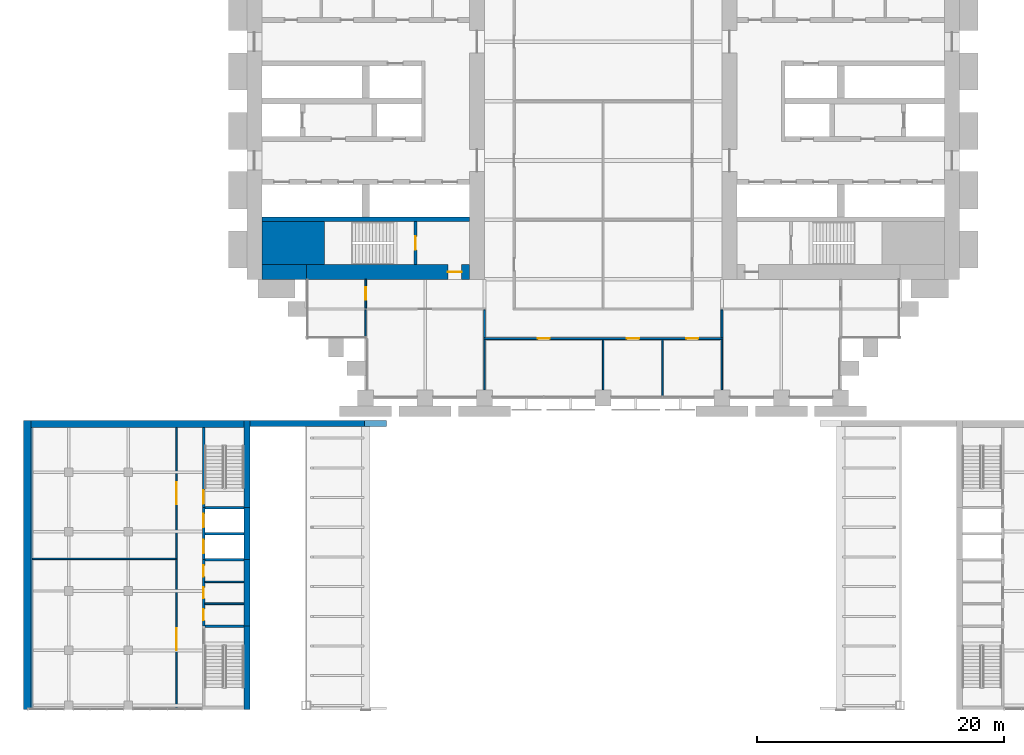
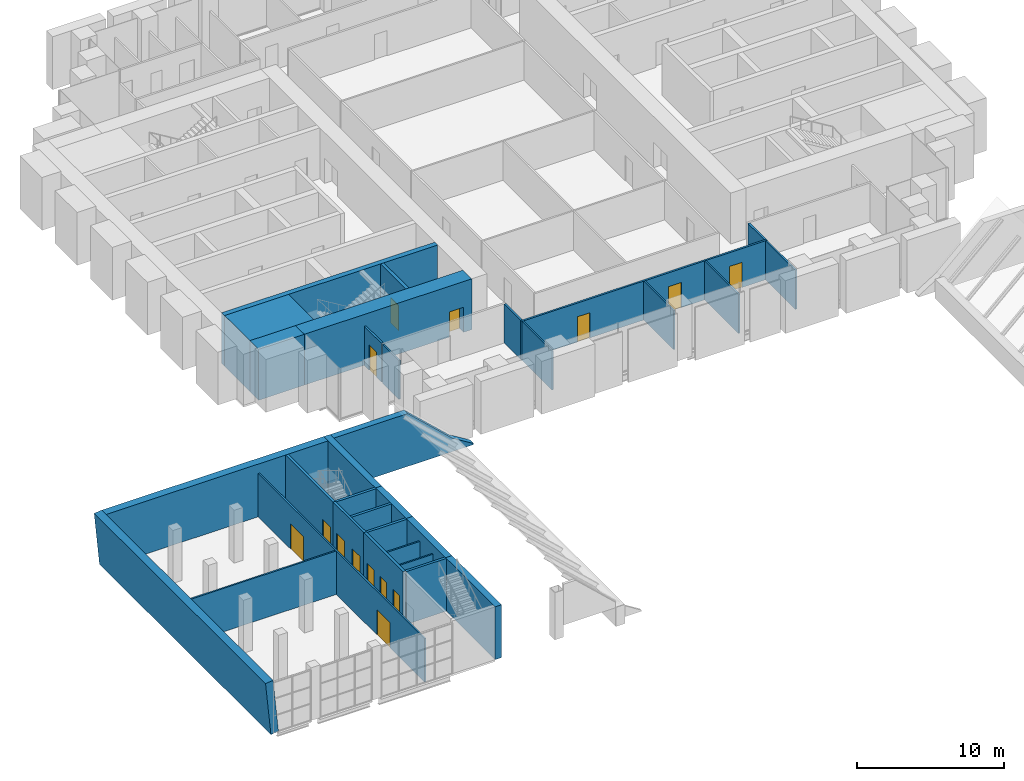
# One storey, part 20 of 30: 32 walls, 14 doors, 14 openings.
"""IFC4 building model written with IfcOpenShell, lengths in metres."""

from ifc_helpers import new_model, si_unit, direction, frame, frame_2d, origin, place, context, subcontext, project, spatial, polyline, rectangle, outline, extrude, material, layer, layer_set, type_object, element, fill, save


model = new_model("IFC4")

# Units and contexts
model_context = context("Model", 3, precision=1e-05, world=origin(), true_north=direction((0.0, 1.0)))
body_context = subcontext(model_context, "Body", "Model", "MODEL_VIEW")
ifc_project = project(units=[si_unit("LENGTHUNIT", "METRE"), si_unit("AREAUNIT", "SQUARE_METRE"), si_unit("VOLUMEUNIT", "CUBIC_METRE"), si_unit("PLANEANGLEUNIT", "RADIAN"), si_unit("MASSUNIT", "GRAM", prefix="KILO")], contexts=[model_context])

# Site, building, storey
site_placement = place(None, origin())
site = spatial("IfcSite", under=ifc_project, at=site_placement, CompositionType="ELEMENT")
building_placement = place(site_placement, origin())
building = spatial("IfcBuilding", under=site, at=building_placement, Name="Baori Bourse Tower", CompositionType="ELEMENT")
storey_placement = place(building_placement, frame((0.0, 0.0, 17.0)))
storey = spatial("IfcBuildingStorey", under=building, at=storey_placement, Name="L02", CompositionType="ELEMENT", Elevation=17.0)

# Walls
ifc_material_1 = material(Name="Concrete f'c 70 MPa", Category="concrete")
wall_type_1 = type_object("IfcWallType", Name="Core corner block f'c 70", PredefinedType="SHEAR", material=ifc_material_1)
wall_1_placement = place(storey_placement, frame((1.199951171875, 12.52490234375, 0.0), z_axis=(0.0, 0.0, 1.0), x_axis=(1.0, 0.0, 0.0)))
element("IfcWall", 1, at=wall_1_placement, inside=storey, type_object=wall_type_1, Name="Core wall W05", PredefinedType="SHEAR", context=body_context, shape_type="SweptSolid", body=[
    extrude(rectangle(XDim=5.050048828125, YDim=3.449951171875, at=frame_2d((2.52490234375, 0.0))), origin(), (0.0, 0.0, 1.0), 4.239990234375),
])
ifc_material_2 = material(Name="Concrete f'c 70 MPa", Category="concrete")
ifc_layer_1 = layer(ifc_material_2, 1.199951171875)
ifc_layer_set_1 = layer_set([ifc_layer_1], Name="Core wall 1200 f'c 70")
wall_type_2 = type_object("IfcWallType", Name="Core wall 1200 f'c 70", PredefinedType="SHEAR", material=ifc_layer_set_1)
wall_2_placement = place(storey_placement, frame((4.800048828125, 10.199951171875, 0.0), z_axis=(0.0, 0.0, 1.0), x_axis=(-1.0, 0.0, 0.0)))
element("IfcWall", 2, at=wall_2_placement, inside=storey, type_object=wall_type_2, Name="Core wall W02", PredefinedType="SHEAR", context=body_context, shape_type="SweptSolid", body=[
    extrude(rectangle(XDim=3.60009765625, YDim=1.199951171875, at=frame_2d((1.800048828125, 0.0))), origin(), (0.0, 0.0, 1.0), 4.239990234375),
])

# Wall, opening, door
wall_3_placement = place(storey_placement, frame((18.0, 10.199951171875, 0.0), z_axis=(0.0, 0.0, 1.0), x_axis=(-1.0, 0.0, 0.0)))
wall_3 = element("IfcWall", 3, at=wall_3_placement, inside=storey, type_object=wall_type_2, Name="Core wall W03", PredefinedType="SHEAR", context=body_context, shape_type="SweptSolid", body=[
    extrude(rectangle(XDim=13.199951171875, YDim=1.199951171875, at=frame_2d((6.60009765625, 0.0))), origin(), (0.0, 0.0, 1.0), 4.239990234375),
])
opening_1_placement = place(wall_3_placement, frame((0.64990234375, 0.0, 0.0)))
opening_1 = element("IfcOpeningElement", 4, at=opening_1_placement, cuts=wall_3, Name="Opening L02-D102", PredefinedType="OPENING", context=body_context, shape_type="SweptSolid", body=[
    extrude(rectangle(XDim=1.10009765625, YDim=2.10009765625, at=frame_2d((0.550048828125, 1.050048828125))), frame((0.0, 0.60986328125, 0.0), z_axis=(0.0, -1.0, 0.0), x_axis=(1.0, 0.0, 0.0)), (0.0, 0.0, 1.0), 1.219970703125),
])
ifc_material_3 = material(Name="Painted steel door", Category="steel")
door_type_1 = type_object("IfcDoorType", Name="Stair door 1100", OperationType="SINGLE_SWING_LEFT", PredefinedType="DOOR", material=ifc_material_3)
door_1_placement = place(opening_1_placement, origin())
door_1 = element("IfcDoor", 5, at=door_1_placement, inside=storey, type_object=door_type_1, Name="Stair vestibule door A W L02", OperationType="SINGLE_SWING_LEFT", OverallHeight=2.10009765625, OverallWidth=1.10009765625, PredefinedType="DOOR", context=body_context, shape_type="SweptSolid", body=[
    extrude(rectangle(XDim=1.10009765625, YDim=2.10009765625, at=frame_2d((0.550048828125, 1.050048828125))), frame((0.0, 0.02490234375, 0.0), z_axis=(0.0, -1.0, 0.0), x_axis=(1.0, 0.0, 0.0)), (0.0, 0.0, 1.0), 0.050048828125),
])
fill(opening_1, door_1)

# Wall, openings, doors
ifc_material_4 = material(Name="Gypsum board partition")
ifc_layer_2 = layer(ifc_material_4, 0.14990234375)
ifc_layer_set_2 = layer_set([ifc_layer_2], Name="Corridor partition 150")
wall_type_3 = type_object("IfcWallType", Name="Corridor partition 150", PredefinedType="PARTITIONING", material=ifc_layer_set_2)
wall_4_placement = place(storey_placement, frame((19.125, 4.800048828125, 0.0), z_axis=(0.0, 0.0, 1.0), x_axis=(1.0, 0.0, 0.0)))
wall_4 = element("IfcWall", 6, at=wall_4_placement, inside=storey, type_object=wall_type_3, Name="Partition", PredefinedType="PARTITIONING", context=body_context, shape_type="SweptSolid", body=[
    extrude(rectangle(XDim=19.35009765625, YDim=0.14990234375, at=frame_2d((9.675048828125, 0.0))), origin(), (0.0, 0.0, 1.0), 3.24951171875),
])
opening_2_placement = place(wall_4_placement, frame((4.375, 0.0, 0.0)))
opening_2 = element("IfcOpeningElement", 7, at=opening_2_placement, cuts=wall_4, Name="Opening L02-D01", PredefinedType="OPENING", context=body_context, shape_type="SweptSolid", body=[
    extrude(rectangle(XDim=1.0, YDim=2.10009765625, at=frame_2d((0.5, 1.050048828125))), frame((0.0, 0.0849609375, 0.0), z_axis=(0.0, -1.0, 0.0), x_axis=(1.0, 0.0, 0.0)), (0.0, 0.0, 1.0), 0.169921875),
])
opening_3_placement = place(wall_4_placement, frame((11.574951171875, 0.0, 0.0)))
opening_3 = element("IfcOpeningElement", 8, at=opening_3_placement, cuts=wall_4, Name="Opening L02-D02", PredefinedType="OPENING", context=body_context, shape_type="SweptSolid", body=[
    extrude(rectangle(XDim=1.0, YDim=2.10009765625, at=frame_2d((0.5, 1.050048828125))), frame((0.0, 0.0849609375, 0.0), z_axis=(0.0, -1.0, 0.0), x_axis=(1.0, 0.0, 0.0)), (0.0, 0.0, 1.0), 0.169921875),
])
opening_4_placement = place(wall_4_placement, frame((16.375, 0.0, 0.0)))
opening_4 = element("IfcOpeningElement", 9, at=opening_4_placement, cuts=wall_4, Name="Opening L02-D03", PredefinedType="OPENING", context=body_context, shape_type="SweptSolid", body=[
    extrude(rectangle(XDim=1.0, YDim=2.10009765625, at=frame_2d((0.5, 1.050048828125))), frame((0.0, 0.0849609375, 0.0), z_axis=(0.0, -1.0, 0.0), x_axis=(1.0, 0.0, 0.0)), (0.0, 0.0, 1.0), 0.169921875),
])
ifc_material_5 = material(Name="Timber door leaf", Category="wood")
door_type_2 = type_object("IfcDoorType", Name="Door 1000 x 2100", OperationType="SINGLE_SWING_LEFT", PredefinedType="DOOR", material=ifc_material_5)
door_2_placement = place(opening_2_placement, origin())
door_2 = element("IfcDoor", 10, at=door_2_placement, inside=storey, type_object=door_type_2, Name="Door", OperationType="SINGLE_SWING_LEFT", OverallHeight=2.10009765625, OverallWidth=1.0, PredefinedType="DOOR", context=body_context, shape_type="SweptSolid", body=[
    extrude(rectangle(XDim=1.0, YDim=2.10009765625, at=frame_2d((0.5, 1.050048828125))), frame((0.0, 0.02490234375, 0.0), z_axis=(0.0, -1.0, 0.0), x_axis=(1.0, 0.0, 0.0)), (0.0, 0.0, 1.0), 0.050048828125),
])
fill(opening_2, door_2)
door_3_placement = place(opening_3_placement, origin())
door_3 = element("IfcDoor", 11, at=door_3_placement, inside=storey, type_object=door_type_2, Name="Door", OperationType="SINGLE_SWING_RIGHT", OverallHeight=2.10009765625, OverallWidth=1.0, PredefinedType="DOOR", context=body_context, shape_type="SweptSolid", body=[
    extrude(rectangle(XDim=1.0, YDim=2.10009765625, at=frame_2d((0.5, 1.050048828125))), frame((0.0, 0.02490234375, 0.0), z_axis=(0.0, -1.0, 0.0), x_axis=(1.0, 0.0, 0.0)), (0.0, 0.0, 1.0), 0.050048828125),
])
fill(opening_3, door_3)
door_4_placement = place(opening_4_placement, origin())
door_4 = element("IfcDoor", 12, at=door_4_placement, inside=storey, type_object=door_type_2, Name="Door", OperationType="SINGLE_SWING_RIGHT", OverallHeight=2.10009765625, OverallWidth=1.0, PredefinedType="DOOR", context=body_context, shape_type="SweptSolid", body=[
    extrude(rectangle(XDim=1.0, YDim=2.10009765625, at=frame_2d((0.5, 1.050048828125))), frame((0.0, 0.02490234375, 0.0), z_axis=(0.0, -1.0, 0.0), x_axis=(1.0, 0.0, 0.0)), (0.0, 0.0, 1.0), 0.050048828125),
])
fill(opening_4, door_4)

# Wall, opening, door
wall_5_placement = place(storey_placement, frame((9.60009765625, 7.27490234375, 0.0), z_axis=(0.0, 0.0, 1.0), x_axis=(0.0, 1.0, 0.0)))
wall_5 = element("IfcWall", 13, at=wall_5_placement, inside=storey, type_object=wall_type_3, Name="Partition", PredefinedType="PARTITIONING", context=body_context, shape_type="SweptSolid", body=[
    extrude(rectangle(XDim=2.3251953125, YDim=0.14990234375, at=frame_2d((1.16259765625, 0.0))), origin(), (0.0, 0.0, 1.0), 3.24951171875),
])
opening_5_placement = place(wall_5_placement, frame((0.66259765625, 0.0, 0.0)))
opening_5 = element("IfcOpeningElement", 14, at=opening_5_placement, cuts=wall_5, Name="Opening L02-D15", PredefinedType="OPENING", context=body_context, shape_type="SweptSolid", body=[
    extrude(rectangle(XDim=1.0, YDim=2.10009765625, at=frame_2d((0.5, 1.050048828125))), frame((0.0, 0.0849609375, 0.0), z_axis=(0.0, -1.0, 0.0), x_axis=(1.0, 0.0, 0.0)), (0.0, 0.0, 1.0), 0.169921875),
])
door_5_placement = place(opening_5_placement, origin())
door_5 = element("IfcDoor", 15, at=door_5_placement, inside=storey, type_object=door_type_2, Name="Door", OperationType="SINGLE_SWING_RIGHT", OverallHeight=2.10009765625, OverallWidth=1.0, PredefinedType="DOOR", context=body_context, shape_type="SweptSolid", body=[
    extrude(rectangle(XDim=1.0, YDim=2.10009765625, at=frame_2d((0.5, 1.050048828125))), frame((0.0, 0.02490234375, 0.0), z_axis=(0.0, -1.0, 0.0), x_axis=(1.0, 0.0, 0.0)), (0.0, 0.0, 1.0), 0.050048828125),
])
fill(opening_5, door_5)

# Walls
for number, where, z_axis, x_axis, name in (
    (16, (19.199951171875, 4.875, 0.0), (0.0, 0.0, 1.0), (0.0, 1.0, 0.0), "Partition"),
    (17, (38.39990234375, 4.875, 0.0), (0.0, 0.0, 1.0), (0.0, 1.0, 0.0), "Partition"),
):
    element("IfcWall", number, at=place(storey_placement, frame(where, z_axis=z_axis, x_axis=x_axis)), inside=storey, type_object=wall_type_3, Name=name, PredefinedType="PARTITIONING", context=body_context, shape_type="SweptSolid", body=[
        extrude(rectangle(XDim=2.25, YDim=0.14990234375, at=frame_2d((1.125, 0.0))), origin(), (0.0, 0.0, 1.0), 3.24951171875),
    ])
ifc_material_6 = material(Name="Concrete f'c 50 MPa", Category="concrete")
ifc_layer_3 = layer(ifc_material_6, 0.5)
ifc_layer_set_3 = layer_set([ifc_layer_3], Name="Hall end wall 500")
wall_type_4 = type_object("IfcWallType", Name="Hall end wall 500", PredefinedType="SOLIDWALL", material=ifc_layer_set_3)
wall_6_placement = place(storey_placement, frame((0.0, -1.800048828125, 0.0), z_axis=(0.0, 0.0, 1.0), x_axis=(0.0, -1.0, 0.0)))
element("IfcWall", 18, at=wall_6_placement, inside=storey, type_object=wall_type_4, Name="wing/L02/Whallwall/001", PredefinedType="SOLIDWALL", context=body_context, shape_type="SweptSolid", body=[
    extrude(rectangle(XDim=7.06005859375, YDim=0.5, at=frame_2d((3.530029296875, 0.0))), origin(), (0.0, 0.0, 1.0), 4.39990234375),
])
wall_7_placement = place(storey_placement, frame((0.0, -8.860107421875, 0.0), z_axis=(0.0, 0.0, 1.0), x_axis=(0.0, -1.0, 0.0)))
element("IfcWall", 19, at=wall_7_placement, inside=storey, type_object=wall_type_4, Name="wing/L02/Whallwall/002", PredefinedType="SOLIDWALL", context=body_context, shape_type="SweptSolid", body=[
    extrude(rectangle(XDim=4.199951171875, YDim=0.5, at=frame_2d((2.10009765625, 0.0))), origin(), (0.0, 0.0, 1.0), 4.39990234375),
])
wall_8_placement = place(storey_placement, frame((0.0, -13.06005859375, 0.0), z_axis=(0.0, 0.0, 1.0), x_axis=(0.0, -1.0, 0.0)))
element("IfcWall", 20, at=wall_8_placement, inside=storey, type_object=wall_type_4, Name="wing/L02/Whallwall/003", PredefinedType="SOLIDWALL", context=body_context, shape_type="SweptSolid", body=[
    extrude(rectangle(XDim=5.3798828125, YDim=0.5, at=frame_2d((2.68994140625, 0.0))), origin(), (0.0, 0.0, 1.0), 4.39990234375),
])
wall_9_placement = place(storey_placement, frame((0.0, -18.43994140625, 0.0), z_axis=(0.0, 0.0, 1.0), x_axis=(0.0, -1.0, 0.0)))
element("IfcWall", 21, at=wall_9_placement, inside=storey, type_object=wall_type_4, Name="wing/L02/Whallwall/004", PredefinedType="SOLIDWALL", context=body_context, shape_type="SweptSolid", body=[
    extrude(rectangle(XDim=6.760009765625, YDim=0.5, at=frame_2d((3.3798828125, 0.0))), origin(), (0.0, 0.0, 1.0), 4.39990234375),
])
ifc_material_7 = material(Name="Concrete f'c 50 MPa", Category="concrete")
ifc_layer_4 = layer(ifc_material_7, 0.5)
ifc_layer_set_4 = layer_set([ifc_layer_4], Name="Hall north wall 500")
wall_type_5 = type_object("IfcWallType", Name="Hall north wall 500", PredefinedType="SOLIDWALL", material=ifc_layer_set_4)
wall_10_placement = place(storey_placement, frame((0.25, -2.050048828125, 0.0), z_axis=(0.0, 0.0, 1.0), x_axis=(1.0, 0.0, 0.0)))
element("IfcWall", 22, at=wall_10_placement, inside=storey, type_object=wall_type_5, Name="wing/L02/hallnorth/001", PredefinedType="SOLIDWALL", context=body_context, shape_type="SweptSolid", body=[
    extrude(outline(polyline([(0.0, 0.0), (11.013671875, 0.0), (11.013671875, 0.10009765625), (9.35009765625, 1.112060546875), (5.830322265625, 4.39990234375), (4.550048828125, 4.39990234375), (0.0, 4.39990234375), (0.0, 0.0)])), frame((0.0, 0.25, 0.0), z_axis=(0.0, -1.0, 0.0), x_axis=(1.0, 0.0, 0.0)), (0.0, 0.0, 1.0), 0.5),
])
ifc_material_8 = material(Name="Concrete f'c 50 MPa", Category="concrete")
ifc_layer_5 = layer(ifc_material_8, 0.60009765625)
ifc_layer_set_5 = layer_set([ifc_layer_5], Name="Leaning end wall 600")
wall_type_6 = type_object("IfcWallType", Name="Leaning end wall 600", PredefinedType="SOLIDWALL", material=ifc_layer_set_5)
wall_11_placement = place(storey_placement, frame((-17.326171875, -25.199951171875, 0.0), z_axis=(0.995392620953, 0.0, 0.095882898123), x_axis=(0.0, 1.0, 0.0)))
element("IfcWall", 23, at=wall_11_placement, inside=storey, type_object=wall_type_6, Name="wing/L02/Wleanwall/001", PredefinedType="SOLIDWALL", context=body_context, shape_type="SweptSolid", body=[
    extrude(outline(polyline([(0.0, 0.0), (23.39990234375, 0.0), (23.39990234375, 4.42026819481327), (0.0, 4.42026819481327), (0.0, 0.0)])), origin(), (0.0, 0.0, -1.0), 0.60009765625),
])
ifc_material_9 = material(Name="Gypsum board partition")
ifc_layer_6 = layer(ifc_material_9, 0.125)
ifc_layer_set_6 = layer_set([ifc_layer_6], Name="Partition 125")
wall_type_7 = type_object("IfcWallType", Name="Partition 125", PredefinedType="PARTITIONING", material=ifc_layer_set_6)
wall_12_placement = place(storey_placement, frame((9.60009765625, 4.89990234375, 0.0), z_axis=(0.0, 0.0, 1.0), x_axis=(0.0, 1.0, 0.0)))
element("IfcWall", 24, at=wall_12_placement, inside=storey, type_object=wall_type_7, Name="Partition", PredefinedType="PARTITIONING", context=body_context, shape_type="SweptSolid", body=[
    extrude(rectangle(XDim=2.22509765625, YDim=0.125, at=frame_2d((1.112548828125, 0.0))), origin(), (0.0, 0.0, 1.0), 3.24951171875),
])
for number, where, z_axis, x_axis, name in (
    (25, (19.199951171875, 0.64990234375, 0.0), (0.0, 0.0, 1.0), (0.0, 1.0, 0.0), "Partition"),
    (26, (28.800048828125, 0.64990234375, 0.0), (0.0, 0.0, 1.0), (0.0, 1.0, 0.0), "Partition"),
):
    element("IfcWall", number, at=place(storey_placement, frame(where, z_axis=z_axis, x_axis=x_axis)), inside=storey, type_object=wall_type_7, Name=name, PredefinedType="PARTITIONING", context=body_context, shape_type="SweptSolid", body=[
        extrude(rectangle(XDim=4.0751953125, YDim=0.125, at=frame_2d((2.03759765625, 0.0))), origin(), (0.0, 0.0, 1.0), 3.24951171875),
    ])
wall_13_placement = place(storey_placement, frame((33.60009765625, 0.10009765625, 0.0), z_axis=(0.0, 0.0, 1.0), x_axis=(0.0, 1.0, 0.0)))
element("IfcWall", 27, at=wall_13_placement, inside=storey, type_object=wall_type_7, Name="Partition", PredefinedType="PARTITIONING", context=body_context, shape_type="SweptSolid", body=[
    extrude(rectangle(XDim=4.625, YDim=0.125, at=frame_2d((2.3125, 0.0))), origin(), (0.0, 0.0, 1.0), 3.24951171875),
])
wall_14_placement = place(storey_placement, frame((38.39990234375, 0.64990234375, 0.0), z_axis=(0.0, 0.0, 1.0), x_axis=(0.0, 1.0, 0.0)))
element("IfcWall", 28, at=wall_14_placement, inside=storey, type_object=wall_type_7, Name="Partition", PredefinedType="PARTITIONING", context=body_context, shape_type="SweptSolid", body=[
    extrude(rectangle(XDim=4.0751953125, YDim=0.125, at=frame_2d((2.03759765625, 0.0))), origin(), (0.0, 0.0, 1.0), 3.24951171875),
])

# Wall, opening, door
ifc_material_10 = material(Name="Concrete f'c 50 MPa", Category="concrete")
ifc_layer_7 = layer(ifc_material_10, 0.199951171875)
ifc_layer_set_7 = layer_set([ifc_layer_7], Name="Shaft wall 200")
wall_type_8 = type_object("IfcWallType", Name="Shaft wall 200", PredefinedType="SOLIDWALL", material=ifc_layer_set_7)
wall_15_placement = place(storey_placement, frame((-3.5, -2.39990234375, 0.0), z_axis=(0.0, 0.0, 1.0), x_axis=(0.0, -1.0, 0.0)))
wall_15 = element("IfcWall", 29, at=wall_15_placement, inside=storey, type_object=wall_type_8, Name="wing/L02/WcorrwallE/001", PredefinedType="SOLIDWALL", context=body_context, shape_type="SweptSolid", body=[
    extrude(rectangle(XDim=6.460205078125, YDim=0.199951171875, at=frame_2d((3.22998046875, 0.0))), origin(), (0.0, 0.0, 1.0), 4.39990234375),
])
opening_6_placement = place(wall_15_placement, frame((5.050048828125, 0.0, 0.0)))
opening_6 = element("IfcOpeningElement", 30, at=opening_6_placement, cuts=wall_15, Name="Opening WGW-L02-01", PredefinedType="OPENING", context=body_context, shape_type="SweptSolid", body=[
    extrude(rectangle(XDim=1.10009765625, YDim=2.10009765625, at=frame_2d((0.550048828125, 1.050048828125))), frame((0.0, 0.10986328125, 0.0), z_axis=(0.0, -1.0, 0.0), x_axis=(1.0, 0.0, 0.0)), (0.0, 0.0, 1.0), 0.219970703125),
])
ifc_material_11 = material(Name="Steel fire door", Category="steel")
door_type_3 = type_object("IfcDoorType", Name="Wing stair door 1100", OperationType="SINGLE_SWING_LEFT", PredefinedType="DOOR", material=ifc_material_11)
door_6_placement = place(opening_6_placement, origin())
door_6 = element("IfcDoor", 31, at=door_6_placement, inside=storey, type_object=door_type_3, Name="WGW-L02-01", OperationType="SINGLE_SWING_LEFT", OverallHeight=2.10009765625, OverallWidth=1.10009765625, PredefinedType="DOOR", context=body_context, shape_type="SweptSolid", body=[
    extrude(rectangle(XDim=1.10009765625, YDim=2.10009765625, at=frame_2d((0.550048828125, 1.050048828125))), frame((0.0, 0.02490234375, 0.0), z_axis=(0.0, -1.0, 0.0), x_axis=(1.0, 0.0, 0.0)), (0.0, 0.0, 1.0), 0.050048828125),
])
fill(opening_6, door_6)

# Wall, openings, doors
wall_16_placement = place(storey_placement, frame((-3.5, -8.860107421875, 0.0), z_axis=(0.0, 0.0, 1.0), x_axis=(0.0, -1.0, 0.0)))
wall_16 = element("IfcWall", 32, at=wall_16_placement, inside=storey, type_object=wall_type_8, Name="wing/L02/WcorrwallE/002", PredefinedType="SOLIDWALL", context=body_context, shape_type="SweptSolid", body=[
    extrude(rectangle(XDim=4.199951171875, YDim=0.199951171875, at=frame_2d((2.10009765625, 0.0))), origin(), (0.0, 0.0, 1.0), 4.39990234375),
])
opening_7_placement = place(wall_16_placement, frame((0.5, 0.0, 0.0)))
opening_7 = element("IfcOpeningElement", 33, at=opening_7_placement, cuts=wall_16, Name="Opening LD-W-L02-P", PredefinedType="OPENING", context=body_context, shape_type="SweptSolid", body=[
    extrude(rectangle(XDim=1.10009765625, YDim=2.10009765625, at=frame_2d((0.550048828125, 1.050048828125))), frame((0.0, 0.10986328125, 0.0), z_axis=(0.0, -1.0, 0.0), x_axis=(1.0, 0.0, 0.0)), (0.0, 0.0, 1.0), 0.219970703125),
])
opening_8_placement = place(wall_16_placement, frame((2.60009765625, 0.0, 0.0)))
opening_8 = element("IfcOpeningElement", 34, at=opening_8_placement, cuts=wall_16, Name="Opening LD-W-L02-S", PredefinedType="OPENING", context=body_context, shape_type="SweptSolid", body=[
    extrude(rectangle(XDim=1.10009765625, YDim=2.10009765625, at=frame_2d((0.550048828125, 1.050048828125))), frame((0.0, 0.10986328125, 0.0), z_axis=(0.0, -1.0, 0.0), x_axis=(1.0, 0.0, 0.0)), (0.0, 0.0, 1.0), 0.219970703125),
])
ifc_material_12 = material(Name="Stainless steel door", Category="steel")
door_type_4 = type_object("IfcDoorType", Name="Lift landing door 1100", OperationType="SLIDING_TO_LEFT", PredefinedType="DOOR", material=ifc_material_12)
door_7_placement = place(opening_7_placement, origin())
door_7 = element("IfcDoor", 35, at=door_7_placement, inside=storey, type_object=door_type_4, Name="LD-W-L02-P", OperationType="SLIDING_TO_LEFT", OverallHeight=2.10009765625, OverallWidth=1.10009765625, PredefinedType="DOOR", context=body_context, shape_type="SweptSolid", body=[
    extrude(rectangle(XDim=1.10009765625, YDim=2.10009765625, at=frame_2d((0.550048828125, 1.050048828125))), frame((0.0, 0.02490234375, 0.0), z_axis=(0.0, -1.0, 0.0), x_axis=(1.0, 0.0, 0.0)), (0.0, 0.0, 1.0), 0.050048828125),
])
fill(opening_7, door_7)
door_8_placement = place(opening_8_placement, origin())
door_8 = element("IfcDoor", 36, at=door_8_placement, inside=storey, type_object=door_type_4, Name="LD-W-L02-S", OperationType="SLIDING_TO_LEFT", OverallHeight=2.10009765625, OverallWidth=1.10009765625, PredefinedType="DOOR", context=body_context, shape_type="SweptSolid", body=[
    extrude(rectangle(XDim=1.10009765625, YDim=2.10009765625, at=frame_2d((0.550048828125, 1.050048828125))), frame((0.0, 0.02490234375, 0.0), z_axis=(0.0, -1.0, 0.0), x_axis=(1.0, 0.0, 0.0)), (0.0, 0.0, 1.0), 0.050048828125),
])
fill(opening_8, door_8)

wall_17_placement = place(storey_placement, frame((-3.5, -13.06005859375, 0.0), z_axis=(0.0, 0.0, 1.0), x_axis=(0.0, -1.0, 0.0)))
wall_17 = element("IfcWall", 37, at=wall_17_placement, inside=storey, type_object=wall_type_8, Name="wing/L02/WcorrwallE/003", PredefinedType="SOLIDWALL", context=body_context, shape_type="SweptSolid", body=[
    extrude(rectangle(XDim=5.3798828125, YDim=0.199951171875, at=frame_2d((2.68994140625, 0.0))), origin(), (0.0, 0.0, 1.0), 4.39990234375),
])
opening_9_placement = place(wall_17_placement, frame((0.4716796875, 0.0, 0.0)))
opening_9 = element("IfcOpeningElement", 38, at=opening_9_placement, cuts=wall_17, Name="Opening WGW-L02-05", PredefinedType="OPENING", context=body_context, shape_type="SweptSolid", body=[
    extrude(rectangle(XDim=0.89990234375, YDim=2.10009765625, at=frame_2d((0.449951171875, 1.050048828125))), frame((0.0, 0.10986328125, 0.0), z_axis=(0.0, -1.0, 0.0), x_axis=(1.0, 0.0, 0.0)), (0.0, 0.0, 1.0), 0.219970703125),
])
opening_10_placement = place(wall_17_placement, frame((2.239990234375, 0.0, 0.0)))
opening_10 = element("IfcOpeningElement", 39, at=opening_10_placement, cuts=wall_17, Name="Opening WGW-L02-06", PredefinedType="OPENING", context=body_context, shape_type="SweptSolid", body=[
    extrude(rectangle(XDim=0.89990234375, YDim=2.10009765625, at=frame_2d((0.449951171875, 1.050048828125))), frame((0.0, 0.10986328125, 0.0), z_axis=(0.0, -1.0, 0.0), x_axis=(1.0, 0.0, 0.0)), (0.0, 0.0, 1.0), 0.219970703125),
])
opening_11_placement = place(wall_17_placement, frame((4.00830078125, 0.0, 0.0)))
opening_11 = element("IfcOpeningElement", 40, at=opening_11_placement, cuts=wall_17, Name="Opening WGW-L02-07", PredefinedType="OPENING", context=body_context, shape_type="SweptSolid", body=[
    extrude(rectangle(XDim=0.89990234375, YDim=2.10009765625, at=frame_2d((0.449951171875, 1.050048828125))), frame((0.0, 0.10986328125, 0.0), z_axis=(0.0, -1.0, 0.0), x_axis=(1.0, 0.0, 0.0)), (0.0, 0.0, 1.0), 0.219970703125),
])
ifc_material_13 = material(Name="Timber door", Category="wood")
door_type_5 = type_object("IfcDoorType", Name="Wing toilet door 900x2100", OperationType="SINGLE_SWING_LEFT", PredefinedType="DOOR", material=ifc_material_13)
door_9_placement = place(opening_9_placement, origin())
door_9 = element("IfcDoor", 41, at=door_9_placement, inside=storey, type_object=door_type_5, Name="WGW-L02-05", OperationType="SINGLE_SWING_LEFT", OverallHeight=2.10009765625, OverallWidth=0.89990234375, PredefinedType="DOOR", context=body_context, shape_type="SweptSolid", body=[
    extrude(rectangle(XDim=0.89990234375, YDim=2.10009765625, at=frame_2d((0.449951171875, 1.050048828125))), frame((0.0, 0.02490234375, 0.0), z_axis=(0.0, -1.0, 0.0), x_axis=(1.0, 0.0, 0.0)), (0.0, 0.0, 1.0), 0.050048828125),
])
fill(opening_9, door_9)
door_10_placement = place(opening_10_placement, origin())
door_10 = element("IfcDoor", 42, at=door_10_placement, inside=storey, type_object=door_type_5, Name="WGW-L02-06", OperationType="SINGLE_SWING_LEFT", OverallHeight=2.10009765625, OverallWidth=0.89990234375, PredefinedType="DOOR", context=body_context, shape_type="SweptSolid", body=[
    extrude(rectangle(XDim=0.89990234375, YDim=2.10009765625, at=frame_2d((0.449951171875, 1.050048828125))), frame((0.0, 0.02490234375, 0.0), z_axis=(0.0, -1.0, 0.0), x_axis=(1.0, 0.0, 0.0)), (0.0, 0.0, 1.0), 0.050048828125),
])
fill(opening_10, door_10)
door_11_placement = place(opening_11_placement, origin())
door_11 = element("IfcDoor", 43, at=door_11_placement, inside=storey, type_object=door_type_5, Name="WGW-L02-07", OperationType="SINGLE_SWING_LEFT", OverallHeight=2.10009765625, OverallWidth=0.89990234375, PredefinedType="DOOR", context=body_context, shape_type="SweptSolid", body=[
    extrude(rectangle(XDim=0.89990234375, YDim=2.10009765625, at=frame_2d((0.449951171875, 1.050048828125))), frame((0.0, 0.02490234375, 0.0), z_axis=(0.0, -1.0, 0.0), x_axis=(1.0, 0.0, 0.0)), (0.0, 0.0, 1.0), 0.050048828125),
])
fill(opening_11, door_11)

# Walls
for number, where, z_axis, x_axis, name in (
    (44, (-3.39990234375, -8.860107421875, 0.0), (0.0, 0.0, 1.0), (1.0, 0.0, 0.0), "wing/L02/Wshaftwall/001"),
    (45, (-3.39990234375, -10.9599609375, 0.0), (0.0, 0.0, 1.0), (1.0, 0.0, 0.0), "wing/L02/Wshaftwall/002"),
    (46, (-3.39990234375, -13.06005859375, 0.0), (0.0, 0.0, 1.0), (1.0, 0.0, 0.0), "wing/L02/Wshaftwall/003"),
    (47, (-3.39990234375, -18.43994140625, 0.0), (0.0, 0.0, 1.0), (1.0, 0.0, 0.0), "wing/L02/Wshaftwall/004"),
):
    element("IfcWall", number, at=place(storey_placement, frame(where, z_axis=z_axis, x_axis=x_axis)), inside=storey, type_object=wall_type_8, Name=name, PredefinedType="SOLIDWALL", context=body_context, shape_type="SweptSolid", body=[
        extrude(rectangle(XDim=3.14990234375, YDim=0.199951171875, at=frame_2d((1.574951171875, 0.0))), origin(), (0.0, 0.0, 1.0), 4.39990234375),
    ])

# Wall, opening, door
ifc_material_14 = material(Name="Concrete f'c 70 MPa", Category="concrete")
ifc_layer_8 = layer(ifc_material_14, 0.25)
ifc_layer_set_8 = layer_set([ifc_layer_8], Name="Shaft wall 250 f'c 70")
wall_type_9 = type_object("IfcWallType", Name="Shaft wall 250 f'c 70", PredefinedType="SHEAR", material=ifc_layer_set_8)
wall_18_placement = place(storey_placement, frame((13.625, 10.800048828125, 0.0), z_axis=(0.0, 0.0, 1.0), x_axis=(0.0, 1.0, 0.0)))
wall_18 = element("IfcWall", 48, at=wall_18_placement, inside=storey, type_object=wall_type_9, Name="Core wall W06", PredefinedType="SHEAR", context=body_context, shape_type="SweptSolid", body=[
    extrude(rectangle(XDim=3.449951171875, YDim=0.25, at=frame_2d((1.72509765625, 0.0))), origin(), (0.0, 0.0, 1.0), 4.239990234375),
])
opening_12_placement = place(wall_18_placement, frame((1.175048828125, 0.0, 0.0)))
opening_12 = element("IfcOpeningElement", 49, at=opening_12_placement, cuts=wall_18, Name="Opening L02-D101", PredefinedType="OPENING", context=body_context, shape_type="SweptSolid", body=[
    extrude(rectangle(XDim=1.10009765625, YDim=2.10009765625, at=frame_2d((0.550048828125, 1.050048828125))), frame((0.0, 0.135009765625, 0.0), z_axis=(0.0, -1.0, 0.0), x_axis=(1.0, 0.0, 0.0)), (0.0, 0.0, 1.0), 0.27001953125),
])
door_12_placement = place(opening_12_placement, origin())
door_12 = element("IfcDoor", 50, at=door_12_placement, inside=storey, type_object=door_type_1, Name="Stair door A W L02", OperationType="SINGLE_SWING_LEFT", OverallHeight=2.10009765625, OverallWidth=1.10009765625, PredefinedType="DOOR", context=body_context, shape_type="SweptSolid", body=[
    extrude(rectangle(XDim=1.10009765625, YDim=2.10009765625, at=frame_2d((0.550048828125, 1.050048828125))), frame((0.0, 0.02490234375, 0.0), z_axis=(0.0, -1.0, 0.0), x_axis=(1.0, 0.0, 0.0)), (0.0, 0.0, 1.0), 0.050048828125),
])
fill(opening_12, door_12)

# Walls
ifc_material_15 = material(Name="Concrete f'c 70 MPa", Category="concrete")
ifc_layer_9 = layer(ifc_material_15, 0.39990234375)
ifc_layer_set_9 = layer_set([ifc_layer_9], Name="Shaft wall 400 f'c 70")
wall_type_10 = type_object("IfcWallType", Name="Shaft wall 400 f'c 70", PredefinedType="SHEAR", material=ifc_layer_set_9)
wall_19_placement = place(storey_placement, frame((1.199951171875, 14.449951171875, 0.0), z_axis=(0.0, 0.0, 1.0), x_axis=(1.0, 0.0, 0.0)))
element("IfcWall", 51, at=wall_19_placement, inside=storey, type_object=wall_type_10, Name="Core wall W07", PredefinedType="SHEAR", context=body_context, shape_type="SweptSolid", body=[
    extrude(rectangle(XDim=16.800048828125, YDim=0.39990234375, at=frame_2d((8.39990234375, 0.0))), origin(), (0.0, 0.0, 1.0), 4.239990234375),
])
ifc_material_16 = material(Name="Concrete f'c 50 MPa", Category="concrete")
ifc_layer_10 = layer(ifc_material_16, 0.60009765625)
ifc_layer_set_10 = layer_set([ifc_layer_10], Name="Wing north wall 600")
wall_type_11 = type_object("IfcWallType", Name="Wing north wall 600", PredefinedType="SOLIDWALL", material=ifc_layer_set_10)
wall_20_placement = place(storey_placement, frame((-0.25, -2.10009765625, 0.0), z_axis=(0.0, 0.0, 1.0), x_axis=(-1.0, 0.0, 0.0)))
element("IfcWall", 52, at=wall_20_placement, inside=storey, type_object=wall_type_11, Name="wing/L02/Wnorthwall/001", PredefinedType="SOLIDWALL", context=body_context, shape_type="SweptSolid", body=[
    extrude(outline(polyline([(0.0, 0.0), (17.076171875, 0.0), (17.5, 4.39990234375), (0.0, 4.39990234375), (0.0, 0.0)])), frame((0.0, 0.300048828125, 0.0), z_axis=(0.0, -1.0, 0.0), x_axis=(1.0, 0.0, 0.0)), (0.0, 0.0, 1.0), 0.60009765625),
])

# Wall, openings, doors
ifc_material_17 = material(Name="Gypsum board partition")
ifc_layer_11 = layer(ifc_material_17, 0.125)
ifc_layer_set_11 = layer_set([ifc_layer_11], Name="Wing partition 125")
wall_type_12 = type_object("IfcWallType", Name="Wing partition 125", PredefinedType="PARTITIONING", material=ifc_layer_set_11)
wall_21_placement = place(storey_placement, frame((-5.699951171875, -25.10009765625, 0.0), z_axis=(0.0, 0.0, 1.0), x_axis=(0.0, 1.0, 0.0)))
wall_21 = element("IfcWall", 53, at=wall_21_placement, inside=storey, type_object=wall_type_12, Name="wing/L02/WcorrwallW/001", PredefinedType="PARTITIONING", context=body_context, shape_type="SweptSolid", body=[
    extrude(rectangle(XDim=22.7001953125, YDim=0.125, at=frame_2d((11.35009765625, 0.0))), origin(), (0.0, 0.0, 1.0), 3.6201171875),
])
opening_13_placement = place(wall_21_placement, frame((16.5, 0.0, 0.0)))
opening_13 = element("IfcOpeningElement", 54, at=opening_13_placement, cuts=wall_21, Name="Opening WGW-L02-03", PredefinedType="OPENING", context=body_context, shape_type="SweptSolid", body=[
    extrude(rectangle(XDim=1.800048828125, YDim=2.10009765625, at=frame_2d((0.89990234375, 1.050048828125))), frame((0.0, 0.072509765625, 0.0), z_axis=(0.0, -1.0, 0.0), x_axis=(1.0, 0.0, 0.0)), (0.0, 0.0, 1.0), 0.14501953125),
])
opening_14_placement = place(wall_21_placement, frame((4.699951171875, 0.0, 0.0)))
opening_14 = element("IfcOpeningElement", 55, at=opening_14_placement, cuts=wall_21, Name="Opening WGW-L02-04", PredefinedType="OPENING", context=body_context, shape_type="SweptSolid", body=[
    extrude(rectangle(XDim=1.800048828125, YDim=2.10009765625, at=frame_2d((0.89990234375, 1.050048828125))), frame((0.0, 0.072509765625, 0.0), z_axis=(0.0, -1.0, 0.0), x_axis=(1.0, 0.0, 0.0)), (0.0, 0.0, 1.0), 0.14501953125),
])
ifc_material_18 = material(Name="Timber door", Category="wood")
door_type_6 = type_object("IfcDoorType", Name="Wing double door 1800x2100", OperationType="DOUBLE_DOOR_SINGLE_SWING", PredefinedType="DOOR", material=ifc_material_18)
door_13_placement = place(opening_13_placement, origin())
door_13 = element("IfcDoor", 56, at=door_13_placement, inside=storey, type_object=door_type_6, Name="WGW-L02-03", OperationType="DOUBLE_DOOR_SINGLE_SWING", OverallHeight=2.10009765625, OverallWidth=1.800048828125, PredefinedType="DOOR", context=body_context, shape_type="SweptSolid", body=[
    extrude(rectangle(XDim=1.800048828125, YDim=2.10009765625, at=frame_2d((0.89990234375, 1.050048828125))), frame((0.0, 0.02490234375, 0.0), z_axis=(0.0, -1.0, 0.0), x_axis=(1.0, 0.0, 0.0)), (0.0, 0.0, 1.0), 0.050048828125),
])
fill(opening_13, door_13)
door_14_placement = place(opening_14_placement, origin())
door_14 = element("IfcDoor", 57, at=door_14_placement, inside=storey, type_object=door_type_6, Name="WGW-L02-04", OperationType="DOUBLE_DOOR_SINGLE_SWING", OverallHeight=2.10009765625, OverallWidth=1.800048828125, PredefinedType="DOOR", context=body_context, shape_type="SweptSolid", body=[
    extrude(rectangle(XDim=1.800048828125, YDim=2.10009765625, at=frame_2d((0.89990234375, 1.050048828125))), frame((0.0, 0.02490234375, 0.0), z_axis=(0.0, -1.0, 0.0), x_axis=(1.0, 0.0, 0.0)), (0.0, 0.0, 1.0), 0.050048828125),
])
fill(opening_14, door_14)

# Walls
wall_22_placement = place(storey_placement, frame((-5.762451171875, -13.0, 0.0), z_axis=(0.0, 0.0, 1.0), x_axis=(-1.0, 0.0, 0.0)))
element("IfcWall", 58, at=wall_22_placement, inside=storey, type_object=wall_type_12, Name="wing/L02/Wmidwall/001", PredefinedType="PARTITIONING", context=body_context, shape_type="SweptSolid", body=[
    extrude(rectangle(XDim=11.563720703125, YDim=0.125, at=frame_2d((5.78173828125, 0.0))), origin(), (0.0, 0.0, 1.0), 3.6201171875),
])
for number, where, z_axis, x_axis, name in (
    (59, (-3.39990234375, -14.86572265625, 0.0), (0.0, 0.0, 1.0), (1.0, 0.0, 0.0), "wing/L02/Wwcwall/001"),
    (60, (-3.39990234375, -16.63427734375, 0.0), (0.0, 0.0, 1.0), (1.0, 0.0, 0.0), "wing/L02/Wwcwall/002"),
):
    element("IfcWall", number, at=place(storey_placement, frame(where, z_axis=z_axis, x_axis=x_axis)), inside=storey, type_object=wall_type_12, Name=name, PredefinedType="PARTITIONING", context=body_context, shape_type="SweptSolid", body=[
        extrude(rectangle(XDim=3.14990234375, YDim=0.125, at=frame_2d((1.574951171875, 0.0))), origin(), (0.0, 0.0, 1.0), 3.6201171875),
    ])

save(model, "model.ifc")
